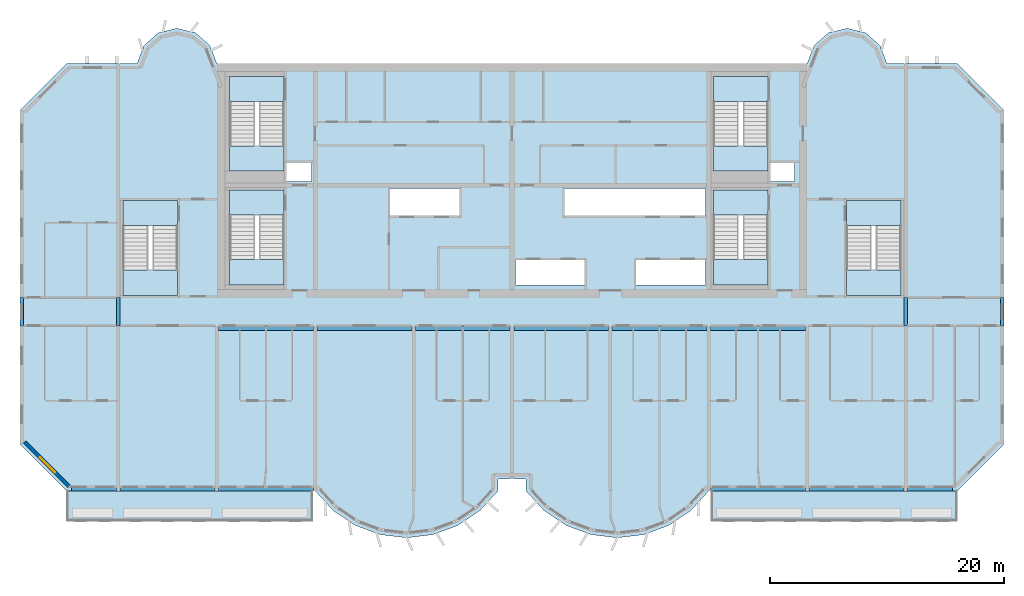
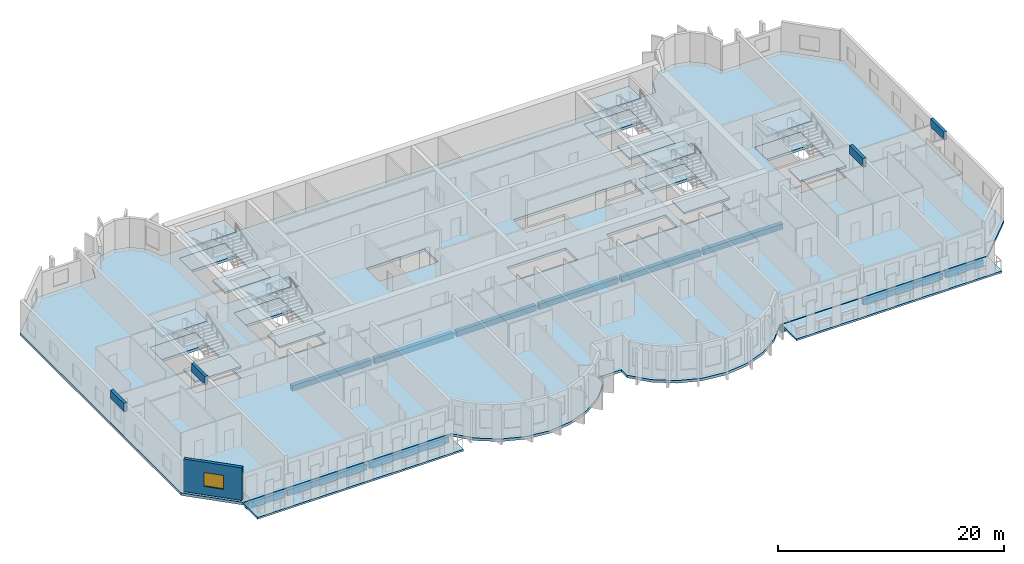
# One storey, part 1 of 13: 21 slabs, 16 beams, 1 wall, 1 window, 1 opening, 6 elements without a shape of their own.
"""IFC4 building model written with IfcOpenShell, lengths in metres."""

from ifc_helpers import new_model, si_unit, direction, frame, frame_2d, origin, origin_2d, place, context, subcontext, project, spatial, polyline, rectangle, outline, extrude, source, transform, mapped, material, layer, layer_set, material_profile, profile_set, type_object, element, fill, aggregate, save


model = new_model("IFC4")

# Units and contexts
model_context = context("Model", 3, precision=1e-05, world=origin(), true_north=direction((0.0, 1.0)))
body_context = subcontext(model_context, "Body", "Model", "MODEL_VIEW")
ifc_project = project(units=[si_unit("LENGTHUNIT", "METRE"), si_unit("AREAUNIT", "SQUARE_METRE"), si_unit("VOLUMEUNIT", "CUBIC_METRE"), si_unit("PLANEANGLEUNIT", "RADIAN"), si_unit("MASSUNIT", "GRAM", prefix="KILO")], contexts=[model_context])

# Site, building, storey
site_placement = place(None, origin())
site = spatial("IfcSite", under=ifc_project, at=site_placement, CompositionType="ELEMENT")
building_placement = place(site_placement, origin())
building = spatial("IfcBuilding", under=site, at=building_placement, Name="Vanashikhar Sky Hotel", CompositionType="ELEMENT")
storey_placement = place(building_placement, frame((0.0, 0.0, 151.60009765625)))
storey = spatial("IfcBuildingStorey", under=building, at=storey_placement, Name="L36", CompositionType="ELEMENT", Elevation=151.60009765625)

# Beams
ifc_material_1 = material(Name="Concrete M50", Category="concrete")
ifc_material_profile_1 = material_profile(ifc_material_1, rectangle(XDim=0.300048828125, YDim=0.89990234375, at=origin_2d()))
ifc_profile_set_1 = profile_set([ifc_material_profile_1], Name="RC 300x900 beam Concrete M50")
beam_type_1 = type_object("IfcBeamType", Name="RC 300x900 beam Concrete M50", PredefinedType="LINTEL", material=ifc_profile_set_1)
shared_shape_1 = source(origin(), body_context, "Body", "SweptSolid", [
    extrude(rectangle(XDim=0.300048828125, YDim=0.89990234375, at=origin_2d()), origin(), (0.0, 0.0, 1.0), 2.39990234375),
])
for number, where, z_axis, x_axis, name in (
    (1, (8.550048828125, 19.60009765625, 3.06982421875), (0.0, 1.0, 0.0), (-1.0, 0.0, 0.0), "LB-L36-XW02"),
    (2, (16.800048828125, 19.60009765625, 3.06982421875), (0.0, 1.0, 0.0), (-1.0, 0.0, 0.0), "LB-L36-XW03"),
    (3, (84.0, 19.60009765625, 3.06982421875), (0.0, 1.0, 0.0), (-1.0, 0.0, 0.0), "LB-L36-XW11"),
    (4, (92.25, 19.60009765625, 3.06982421875), (0.0, 1.0, 0.0), (-1.0, 0.0, 0.0), "LB-L36-XW12"),
):
    element("IfcBeam", number, at=place(storey_placement, frame(where, z_axis=z_axis, x_axis=x_axis)), inside=storey, type_object=beam_type_1, Name=name, PredefinedType="LINTEL", context=body_context, shape_type="MappedRepresentation", body=[
        mapped(shared_shape_1, transform((0.0, 0.0, 0.0), scale=1.0)),
    ])
ifc_material_profile_2 = material_profile(ifc_material_1, rectangle(XDim=0.39990234375, YDim=0.64990234375, at=origin_2d()))
ifc_profile_set_2 = profile_set([ifc_material_profile_2], Name="RC 400x650 beam Concrete M50")
beam_type_2 = type_object("IfcBeamType", Name="RC 400x650 beam Concrete M50", PredefinedType="BEAM", material=ifc_profile_set_2)
shared_shape_2 = source(origin(), body_context, "Body", "SweptSolid", [
    extrude(rectangle(XDim=0.39990234375, YDim=0.64990234375, at=origin_2d()), origin(), (0.0, 0.0, 1.0), 8.10009765625),
])
for number, where, z_axis, x_axis, name in (
    (5, (16.949951171875, 5.699951171875, -0.60498046875), (1.0, 0.0, 0.0), (0.0, 1.0, 0.0), "EB-L36-F01"),
    (6, (75.75, 5.699951171875, -0.60498046875), (1.0, 0.0, 0.0), (0.0, 1.0, 0.0), "EB-L36-F05"),
):
    element("IfcBeam", number, at=place(storey_placement, frame(where, z_axis=z_axis, x_axis=x_axis)), inside=storey, type_object=beam_type_2, Name=name, PredefinedType="BEAM", context=body_context, shape_type="MappedRepresentation", body=[
        mapped(shared_shape_2, transform((0.0, 0.0, 0.0), scale=1.0)),
    ])
shared_shape_3 = source(origin(), body_context, "Body", "SweptSolid", [
    extrude(rectangle(XDim=0.39990234375, YDim=0.64990234375, at=origin_2d()), origin(), (0.0, 0.0, 1.0), 8.099853515625),
])
for number, where, z_axis, x_axis, name in (
    (7, (25.35009765625, 5.699951171875, -0.60498046875), (1.0, 0.0, 0.0), (0.0, 1.0, 0.0), "EB-L36-F02"),
    (8, (67.35009765625, 5.699951171875, -0.60498046875), (1.0, 0.0, 0.0), (0.0, 1.0, 0.0), "EB-L36-F04"),
):
    element("IfcBeam", number, at=place(storey_placement, frame(where, z_axis=z_axis, x_axis=x_axis)), inside=storey, type_object=beam_type_2, Name=name, PredefinedType="BEAM", context=body_context, shape_type="MappedRepresentation", body=[
        mapped(shared_shape_3, transform((0.0, 0.0, 0.0), scale=1.0)),
    ])
ifc_material_profile_3 = material_profile(ifc_material_1, rectangle(XDim=0.39990234375, YDim=0.64990234375, at=origin_2d()))
ifc_profile_set_3 = profile_set([ifc_material_profile_3], Name="RC 400x650 cantilever beam Concrete M50")
beam_type_3 = type_object("IfcBeamType", Name="RC 400x650 cantilever beam Concrete M50", PredefinedType="SPANDREL", material=ifc_profile_set_3)
shared_shape_4 = source(origin(), body_context, "Body", "SweptSolid", [
    extrude(rectangle(XDim=0.39990234375, YDim=0.64990234375, at=origin_2d()), origin(), (0.0, 0.0, 1.0), 3.849853515625),
])
beam_1_placement = place(storey_placement, frame((12.800048828125, 5.699951171875, -0.60498046875), z_axis=(1.0, 0.0, 0.0), x_axis=(0.0, 1.0, 0.0)))
element("IfcBeam", 9, at=beam_1_placement, inside=storey, type_object=beam_type_3, Name="EB-L36-F03", PredefinedType="SPANDREL", context=body_context, shape_type="MappedRepresentation", body=[
    mapped(shared_shape_4, transform((0.0, 0.0, 0.0), scale=1.0)),
])
shared_shape_5 = source(origin(), body_context, "Body", "SweptSolid", [
    extrude(rectangle(XDim=0.39990234375, YDim=0.64990234375, at=origin_2d()), origin(), (0.0, 0.0, 1.0), 3.85009765625),
])
beam_2_placement = place(storey_placement, frame((84.14990234375, 5.699951171875, -0.60498046875), z_axis=(1.0, 0.0, 0.0), x_axis=(0.0, 1.0, 0.0)))
element("IfcBeam", 10, at=beam_2_placement, inside=storey, type_object=beam_type_3, Name="EB-L36-F06", PredefinedType="SPANDREL", context=body_context, shape_type="MappedRepresentation", body=[
    mapped(shared_shape_5, transform((0.0, 0.0, 0.0), scale=1.0)),
])
ifc_material_profile_4 = material_profile(ifc_material_1, rectangle(XDim=0.39990234375, YDim=0.60009765625, at=origin_2d()))
ifc_profile_set_4 = profile_set([ifc_material_profile_4], Name="RC 400x600 beam Concrete M50")
beam_type_4 = type_object("IfcBeamType", Name="RC 400x600 beam Concrete M50", PredefinedType="BEAM", material=ifc_profile_set_4)
shared_shape_6 = source(origin(), body_context, "Body", "SweptSolid", [
    extrude(rectangle(XDim=0.39990234375, YDim=0.60009765625, at=origin_2d()), origin(), (0.0, 0.0, 1.0), 8.099853515625),
])
for number, where, z_axis, x_axis, name in (
    (11, (25.35009765625, 19.39990234375, -0.580078125), (1.0, 0.0, 0.0), (0.0, 1.0, 0.0), "CB-L36-01"),
    (12, (50.550048828125, 19.39990234375, -0.580078125), (1.0, 0.0, 0.0), (0.0, 1.0, 0.0), "CB-L36-04"),
    (13, (67.35009765625, 19.39990234375, -0.580078125), (1.0, 0.0, 0.0), (0.0, 1.0, 0.0), "CB-L36-06"),
):
    element("IfcBeam", number, at=place(storey_placement, frame(where, z_axis=z_axis, x_axis=x_axis)), inside=storey, type_object=beam_type_4, Name=name, PredefinedType="BEAM", context=body_context, shape_type="MappedRepresentation", body=[
        mapped(shared_shape_6, transform((0.0, 0.0, 0.0), scale=1.0)),
    ])
shared_shape_7 = source(origin(), body_context, "Body", "SweptSolid", [
    extrude(rectangle(XDim=0.39990234375, YDim=0.60009765625, at=origin_2d()), origin(), (0.0, 0.0, 1.0), 8.10009765625),
])
for number, where, z_axis, x_axis, name in (
    (14, (33.75, 19.39990234375, -0.580078125), (1.0, 0.0, 0.0), (0.0, 1.0, 0.0), "CB-L36-02"),
    (15, (42.14990234375, 19.39990234375, -0.580078125), (1.0, 0.0, 0.0), (0.0, 1.0, 0.0), "CB-L36-03"),
    (16, (58.949951171875, 19.39990234375, -0.580078125), (1.0, 0.0, 0.0), (0.0, 1.0, 0.0), "CB-L36-05"),
):
    element("IfcBeam", number, at=place(storey_placement, frame(where, z_axis=z_axis, x_axis=x_axis)), inside=storey, type_object=beam_type_4, Name=name, PredefinedType="BEAM", context=body_context, shape_type="MappedRepresentation", body=[
        mapped(shared_shape_7, transform((0.0, 0.0, 0.0), scale=1.0)),
    ])

# Slabs
ifc_material_2 = material(Name="Concrete M40", Category="concrete")
ifc_layer_1 = layer(ifc_material_2, 0.280029296875)
ifc_layer_set_1 = layer_set([ifc_layer_1], Name="Floor slab 280 mm")
slab_type_1 = type_object("IfcSlabType", Name="Floor slab 280 mm", PredefinedType="FLOOR", material=ifc_layer_set_1)
shared_shape_8 = source(origin(), body_context, "Body", "SweptSolid", [
    extrude(outline(polyline([(49.199951171875, 5.5), (49.199951171875, 6.5), (51.60009765625, 6.5), (51.60009765625, 5.5), (53.133056640625, 3.825927734375), (55.01708984375, 2.55810546875), (57.14599609375, 1.76806640625), (59.39990234375, 1.5), (61.654052734375, 1.76806640625), (63.782958984375, 2.55810546875), (65.6669921875, 3.825927734375), (67.199951171875, 5.5), (88.39990234375, 5.5), (92.39990234375, 9.5), (92.39990234375, 38.0), (88.39990234375, 42.0), (82.39990234375, 42.0), (81.81494140625, 43.527099609375), (80.587890625, 44.610107421875), (79.0, 45.0), (77.412109375, 44.610107421875), (76.18505859375, 43.527099609375), (75.60009765625, 42.0), (25.199951171875, 42.0), (24.614990234375, 43.527099609375), (23.387939453125, 44.610107421875), (21.800048828125, 45.0), (20.2119140625, 44.610107421875), (18.985107421875, 43.527099609375), (18.39990234375, 42.0), (12.39990234375, 42.0), (8.39990234375, 38.0), (8.39990234375, 9.5), (12.39990234375, 5.5), (33.60009765625, 5.5), (35.133056640625, 3.825927734375), (37.01708984375, 2.55810546875), (39.14599609375, 1.76806640625), (41.39990234375, 1.5), (43.654052734375, 1.76806640625), (45.782958984375, 2.55810546875), (47.6669921875, 3.825927734375), (49.199951171875, 5.5)]), holes=[polyline([(33.300048828125, 33.60009765625), (31.050048828125, 33.60009765625), (31.050048828125, 31.89990234375), (33.300048828125, 31.89990234375), (33.300048828125, 33.60009765625)]), polyline([(39.89990234375, 31.300048828125), (39.89990234375, 29.0), (45.89990234375, 29.0), (45.89990234375, 31.300048828125), (39.89990234375, 31.300048828125)]), polyline([(50.699951171875, 25.199951171875), (50.699951171875, 23.10009765625), (56.699951171875, 23.10009765625), (56.699951171875, 25.199951171875), (50.699951171875, 25.199951171875)]), polyline([(66.89990234375, 29.0), (66.89990234375, 31.300048828125), (54.89990234375, 31.300048828125), (54.89990234375, 29.0), (66.89990234375, 29.0)]), polyline([(60.89990234375, 25.199951171875), (60.89990234375, 23.10009765625), (66.89990234375, 23.10009765625), (66.89990234375, 25.199951171875), (60.89990234375, 25.199951171875)]), polyline([(74.5, 33.60009765625), (72.35009765625, 33.60009765625), (72.35009765625, 31.89990234375), (74.5, 31.89990234375), (74.5, 33.60009765625)]), polyline([(30.949951171875, 23.10009765625), (30.949951171875, 31.199951171875), (26.300048828125, 31.199951171875), (26.300048828125, 23.10009765625), (30.949951171875, 23.10009765625)]), polyline([(72.25, 23.10009765625), (72.25, 31.199951171875), (67.60009765625, 31.199951171875), (67.60009765625, 23.10009765625), (72.25, 23.10009765625)]), polyline([(30.949951171875, 32.800048828125), (30.949951171875, 40.89990234375), (26.300048828125, 40.89990234375), (26.300048828125, 32.800048828125), (30.949951171875, 32.800048828125)]), polyline([(72.25, 32.800048828125), (72.25, 40.89990234375), (67.60009765625, 40.89990234375), (67.60009765625, 32.800048828125), (72.25, 32.800048828125)]), polyline([(83.60009765625, 22.199951171875), (83.60009765625, 30.300048828125), (78.949951171875, 30.300048828125), (78.949951171875, 22.199951171875), (83.60009765625, 22.199951171875)]), polyline([(21.85009765625, 22.199951171875), (21.85009765625, 30.300048828125), (17.199951171875, 30.300048828125), (17.199951171875, 22.199951171875), (21.85009765625, 22.199951171875)])]), origin(), (0.0, 0.0, 1.0), 0.280029296875),
])
slab_1_placement = place(storey_placement, frame((0.0, 0.0, -0.280029296875)))
element("IfcSlab", 17, at=slab_1_placement, inside=storey, type_object=slab_type_1, Name="Floor slab L36", PredefinedType="FLOOR", context=body_context, shape_type="MappedRepresentation", body=[
    mapped(shared_shape_8, transform((0.0, 0.0, 0.0), scale=1.0)),
])
ifc_layer_2 = layer(ifc_material_2, 0.199951171875)
ifc_layer_set_2 = layer_set([ifc_layer_2], Name="Balcony slab 200 mm")
slab_type_2 = type_object("IfcSlabType", Name="Balcony slab 200 mm", PredefinedType="USERDEFINED", material=ifc_layer_set_2)
shared_shape_9 = source(origin(), body_context, "Body", "SweptSolid", [
    extrude(outline(polyline([(12.39990234375, 2.89990234375), (33.39990234375, 2.89990234375), (33.39990234375, 5.5), (12.39990234375, 5.5), (12.39990234375, 2.89990234375)])), origin(), (0.0, 0.0, 1.0), 0.199951171875),
])
slab_2_placement = place(storey_placement, frame((0.0, 0.0, -0.25)))
element("IfcSlab", 18, at=slab_2_placement, inside=storey, type_object=slab_type_2, Name="Balcony slab L36 1", ObjectType="BALCONY", PredefinedType="USERDEFINED", context=body_context, shape_type="MappedRepresentation", body=[
    mapped(shared_shape_9, transform((0.0, 0.0, 0.0), scale=1.0)),
])
shared_shape_10 = source(origin(), body_context, "Body", "SweptSolid", [
    extrude(outline(polyline([(67.39990234375, 2.89990234375), (88.39990234375, 2.89990234375), (88.39990234375, 5.5), (67.39990234375, 5.5), (67.39990234375, 2.89990234375)])), origin(), (0.0, 0.0, 1.0), 0.199951171875),
])
slab_3_placement = place(storey_placement, frame((0.0, 0.0, -0.25)))
element("IfcSlab", 19, at=slab_3_placement, inside=storey, type_object=slab_type_2, Name="Balcony slab L36 2", ObjectType="BALCONY", PredefinedType="USERDEFINED", context=body_context, shape_type="MappedRepresentation", body=[
    mapped(shared_shape_10, transform((0.0, 0.0, 0.0), scale=1.0)),
])

# Stair, slabs
stair_type = type_object("IfcStairType", Name="Exit stair 2150", PredefinedType="DOUBLE_RETURN_STAIR", material=ifc_material_2)
stair_1_placement = place(storey_placement, origin())
stair_1 = element("IfcStair", 20, at=stair_1_placement, inside=storey, type_object=stair_type, Name="L36 Exit stair 1", PredefinedType="DOUBLE_RETURN_STAIR")
ifc_layer_3 = layer(ifc_material_2, 0.199951171875)
ifc_layer_set_3 = layer_set([ifc_layer_3], Name="Stair landing 200")
slab_type_3 = type_object("IfcSlabType", Name="Stair landing 200", PredefinedType="LANDING", material=ifc_layer_set_3)
shared_shape_11 = source(origin(), body_context, "Body", "SweptSolid", [
    extrude(outline(polyline([(30.949951171875, 29.050048828125), (30.949951171875, 31.199951171875), (26.300048828125, 31.199951171875), (26.300048828125, 29.050048828125), (30.949951171875, 29.050048828125)])), origin(), (0.0, 0.0, 1.0), 0.199951171875),
])
slab_4_placement = place(storey_placement, frame((0.0, 0.0, 2.333251953125)))
slab_4 = element("IfcSlab", 21, at=slab_4_placement, type_object=slab_type_3, Name="ST-C1 landing 2", PredefinedType="LANDING", context=body_context, shape_type="MappedRepresentation", body=[
    mapped(shared_shape_11, transform((0.0, 0.0, 0.0), scale=1.0)),
])
shared_shape_12 = source(origin(), body_context, "Body", "SweptSolid", [
    extrude(outline(polyline([(30.949951171875, 23.10009765625), (30.949951171875, 25.25), (26.300048828125, 25.25), (26.300048828125, 23.10009765625), (30.949951171875, 23.10009765625)])), origin(), (0.0, 0.0, 1.0), 0.199951171875),
])
slab_5_placement = place(storey_placement, frame((0.0, 0.0, 1.066650390625)))
slab_5 = element("IfcSlab", 22, at=slab_5_placement, type_object=slab_type_3, Name="ST-C1 landing 1", PredefinedType="LANDING", context=body_context, shape_type="MappedRepresentation", body=[
    mapped(shared_shape_12, transform((0.0, 0.0, 0.0), scale=1.0)),
])
aggregate(stair_1, [slab_5, slab_4])

# Slab
ifc_layer_4 = layer(ifc_material_2, 0.280029296875)
ifc_layer_set_4 = layer_set([ifc_layer_4], Name="Stair floor landing 280")
slab_type_4 = type_object("IfcSlabType", Name="Stair floor landing 280", PredefinedType="LANDING", material=ifc_layer_set_4)
shared_shape_13 = source(origin(), body_context, "Body", "SweptSolid", [
    extrude(outline(polyline([(30.949951171875, 29.050048828125), (30.949951171875, 31.199951171875), (26.300048828125, 31.199951171875), (26.300048828125, 29.050048828125), (30.949951171875, 29.050048828125)])), origin(), (0.0, 0.0, 1.0), 0.280029296875),
])
slab_6_placement = place(storey_placement, frame((0.0, 0.0, -0.280029296875)))
element("IfcSlab", 23, at=slab_6_placement, inside=storey, type_object=slab_type_4, Name="Exit stair 1 floor landing", PredefinedType="LANDING", context=body_context, shape_type="MappedRepresentation", body=[
    mapped(shared_shape_13, transform((0.0, 0.0, 0.0), scale=1.0)),
])

# Stair, slabs
stair_2_placement = place(storey_placement, origin())
stair_2 = element("IfcStair", 24, at=stair_2_placement, inside=storey, type_object=stair_type, Name="L36 Exit stair 2", PredefinedType="DOUBLE_RETURN_STAIR")
shared_shape_14 = source(origin(), body_context, "Body", "SweptSolid", [
    extrude(outline(polyline([(72.25, 29.050048828125), (72.25, 31.199951171875), (67.60009765625, 31.199951171875), (67.60009765625, 29.050048828125), (72.25, 29.050048828125)])), origin(), (0.0, 0.0, 1.0), 0.199951171875),
])
slab_7_placement = place(storey_placement, frame((0.0, 0.0, 2.333251953125)))
slab_7 = element("IfcSlab", 25, at=slab_7_placement, type_object=slab_type_3, Name="ST-C2 landing 2", PredefinedType="LANDING", context=body_context, shape_type="MappedRepresentation", body=[
    mapped(shared_shape_14, transform((0.0, 0.0, 0.0), scale=1.0)),
])
shared_shape_15 = source(origin(), body_context, "Body", "SweptSolid", [
    extrude(outline(polyline([(72.25, 23.10009765625), (72.25, 25.25), (67.60009765625, 25.25), (67.60009765625, 23.10009765625), (72.25, 23.10009765625)])), origin(), (0.0, 0.0, 1.0), 0.199951171875),
])
slab_8_placement = place(storey_placement, frame((0.0, 0.0, 1.066650390625)))
slab_8 = element("IfcSlab", 26, at=slab_8_placement, type_object=slab_type_3, Name="ST-C2 landing 1", PredefinedType="LANDING", context=body_context, shape_type="MappedRepresentation", body=[
    mapped(shared_shape_15, transform((0.0, 0.0, 0.0), scale=1.0)),
])
aggregate(stair_2, [slab_8, slab_7])

# Slab
shared_shape_16 = source(origin(), body_context, "Body", "SweptSolid", [
    extrude(outline(polyline([(72.25, 29.050048828125), (72.25, 31.199951171875), (67.60009765625, 31.199951171875), (67.60009765625, 29.050048828125), (72.25, 29.050048828125)])), origin(), (0.0, 0.0, 1.0), 0.280029296875),
])
slab_9_placement = place(storey_placement, frame((0.0, 0.0, -0.280029296875)))
element("IfcSlab", 27, at=slab_9_placement, inside=storey, type_object=slab_type_4, Name="Exit stair 2 floor landing", PredefinedType="LANDING", context=body_context, shape_type="MappedRepresentation", body=[
    mapped(shared_shape_16, transform((0.0, 0.0, 0.0), scale=1.0)),
])

# Stair, slabs
stair_3_placement = place(storey_placement, origin())
stair_3 = element("IfcStair", 28, at=stair_3_placement, inside=storey, type_object=stair_type, Name="L36 Exit stair 3", PredefinedType="DOUBLE_RETURN_STAIR")
shared_shape_17 = source(origin(), body_context, "Body", "SweptSolid", [
    extrude(outline(polyline([(21.85009765625, 28.14990234375), (21.85009765625, 30.300048828125), (17.199951171875, 30.300048828125), (17.199951171875, 28.14990234375), (21.85009765625, 28.14990234375)])), origin(), (0.0, 0.0, 1.0), 0.199951171875),
])
slab_10_placement = place(storey_placement, frame((0.0, 0.0, 2.333251953125)))
slab_10 = element("IfcSlab", 29, at=slab_10_placement, type_object=slab_type_3, Name="ST-W landing 2", PredefinedType="LANDING", context=body_context, shape_type="MappedRepresentation", body=[
    mapped(shared_shape_17, transform((0.0, 0.0, 0.0), scale=1.0)),
])
shared_shape_18 = source(origin(), body_context, "Body", "SweptSolid", [
    extrude(outline(polyline([(21.85009765625, 22.199951171875), (21.85009765625, 24.35009765625), (17.199951171875, 24.35009765625), (17.199951171875, 22.199951171875), (21.85009765625, 22.199951171875)])), origin(), (0.0, 0.0, 1.0), 0.199951171875),
])
slab_11_placement = place(storey_placement, frame((0.0, 0.0, 1.066650390625)))
slab_11 = element("IfcSlab", 30, at=slab_11_placement, type_object=slab_type_3, Name="ST-W landing 1", PredefinedType="LANDING", context=body_context, shape_type="MappedRepresentation", body=[
    mapped(shared_shape_18, transform((0.0, 0.0, 0.0), scale=1.0)),
])
aggregate(stair_3, [slab_11, slab_10])

# Slab
shared_shape_19 = source(origin(), body_context, "Body", "SweptSolid", [
    extrude(outline(polyline([(21.85009765625, 28.14990234375), (21.85009765625, 30.300048828125), (17.199951171875, 30.300048828125), (17.199951171875, 28.14990234375), (21.85009765625, 28.14990234375)])), origin(), (0.0, 0.0, 1.0), 0.280029296875),
])
slab_12_placement = place(storey_placement, frame((0.0, 0.0, -0.280029296875)))
element("IfcSlab", 31, at=slab_12_placement, inside=storey, type_object=slab_type_4, Name="Exit stair 3 floor landing", PredefinedType="LANDING", context=body_context, shape_type="MappedRepresentation", body=[
    mapped(shared_shape_19, transform((0.0, 0.0, 0.0), scale=1.0)),
])

# Stair, slabs
stair_4_placement = place(storey_placement, origin())
stair_4 = element("IfcStair", 32, at=stair_4_placement, inside=storey, type_object=stair_type, Name="L36 Exit stair 4", PredefinedType="DOUBLE_RETURN_STAIR")
shared_shape_20 = source(origin(), body_context, "Body", "SweptSolid", [
    extrude(outline(polyline([(83.60009765625, 28.14990234375), (83.60009765625, 30.300048828125), (78.949951171875, 30.300048828125), (78.949951171875, 28.14990234375), (83.60009765625, 28.14990234375)])), origin(), (0.0, 0.0, 1.0), 0.199951171875),
])
slab_13_placement = place(storey_placement, frame((0.0, 0.0, 2.333251953125)))
slab_13 = element("IfcSlab", 33, at=slab_13_placement, type_object=slab_type_3, Name="ST-E landing 2", PredefinedType="LANDING", context=body_context, shape_type="MappedRepresentation", body=[
    mapped(shared_shape_20, transform((0.0, 0.0, 0.0), scale=1.0)),
])
shared_shape_21 = source(origin(), body_context, "Body", "SweptSolid", [
    extrude(outline(polyline([(83.60009765625, 22.199951171875), (83.60009765625, 24.35009765625), (78.949951171875, 24.35009765625), (78.949951171875, 22.199951171875), (83.60009765625, 22.199951171875)])), origin(), (0.0, 0.0, 1.0), 0.199951171875),
])
slab_14_placement = place(storey_placement, frame((0.0, 0.0, 1.066650390625)))
slab_14 = element("IfcSlab", 34, at=slab_14_placement, type_object=slab_type_3, Name="ST-E landing 1", PredefinedType="LANDING", context=body_context, shape_type="MappedRepresentation", body=[
    mapped(shared_shape_21, transform((0.0, 0.0, 0.0), scale=1.0)),
])
aggregate(stair_4, [slab_14, slab_13])

# Slab
shared_shape_22 = source(origin(), body_context, "Body", "SweptSolid", [
    extrude(outline(polyline([(83.60009765625, 28.14990234375), (83.60009765625, 30.300048828125), (78.949951171875, 30.300048828125), (78.949951171875, 28.14990234375), (83.60009765625, 28.14990234375)])), origin(), (0.0, 0.0, 1.0), 0.280029296875),
])
slab_15_placement = place(storey_placement, frame((0.0, 0.0, -0.280029296875)))
element("IfcSlab", 35, at=slab_15_placement, inside=storey, type_object=slab_type_4, Name="Exit stair 4 floor landing", PredefinedType="LANDING", context=body_context, shape_type="MappedRepresentation", body=[
    mapped(shared_shape_22, transform((0.0, 0.0, 0.0), scale=1.0)),
])

# Stair, slabs
stair_5_placement = place(storey_placement, origin())
stair_5 = element("IfcStair", 36, at=stair_5_placement, inside=storey, type_object=stair_type, Name="L36 Exit stair 5", PredefinedType="DOUBLE_RETURN_STAIR")
shared_shape_23 = source(origin(), body_context, "Body", "SweptSolid", [
    extrude(outline(polyline([(30.949951171875, 38.75), (30.949951171875, 40.89990234375), (26.300048828125, 40.89990234375), (26.300048828125, 38.75), (30.949951171875, 38.75)])), origin(), (0.0, 0.0, 1.0), 0.199951171875),
])
slab_16_placement = place(storey_placement, frame((0.0, 0.0, 2.333251953125)))
slab_16 = element("IfcSlab", 37, at=slab_16_placement, type_object=slab_type_3, Name="ST-C3 landing 2", PredefinedType="LANDING", context=body_context, shape_type="MappedRepresentation", body=[
    mapped(shared_shape_23, transform((0.0, 0.0, 0.0), scale=1.0)),
])
shared_shape_24 = source(origin(), body_context, "Body", "SweptSolid", [
    extrude(outline(polyline([(30.949951171875, 32.800048828125), (30.949951171875, 34.949951171875), (26.300048828125, 34.949951171875), (26.300048828125, 32.800048828125), (30.949951171875, 32.800048828125)])), origin(), (0.0, 0.0, 1.0), 0.199951171875),
])
slab_17_placement = place(storey_placement, frame((0.0, 0.0, 1.066650390625)))
slab_17 = element("IfcSlab", 38, at=slab_17_placement, type_object=slab_type_3, Name="ST-C3 landing 1", PredefinedType="LANDING", context=body_context, shape_type="MappedRepresentation", body=[
    mapped(shared_shape_24, transform((0.0, 0.0, 0.0), scale=1.0)),
])
aggregate(stair_5, [slab_17, slab_16])

# Slab
shared_shape_25 = source(origin(), body_context, "Body", "SweptSolid", [
    extrude(outline(polyline([(30.949951171875, 38.75), (30.949951171875, 40.89990234375), (26.300048828125, 40.89990234375), (26.300048828125, 38.75), (30.949951171875, 38.75)])), origin(), (0.0, 0.0, 1.0), 0.280029296875),
])
slab_18_placement = place(storey_placement, frame((0.0, 0.0, -0.280029296875)))
element("IfcSlab", 39, at=slab_18_placement, inside=storey, type_object=slab_type_4, Name="Exit stair 5 floor landing", PredefinedType="LANDING", context=body_context, shape_type="MappedRepresentation", body=[
    mapped(shared_shape_25, transform((0.0, 0.0, 0.0), scale=1.0)),
])

# Stair, slabs
stair_6_placement = place(storey_placement, origin())
stair_6 = element("IfcStair", 40, at=stair_6_placement, inside=storey, type_object=stair_type, Name="L36 Exit stair 6", PredefinedType="DOUBLE_RETURN_STAIR")
shared_shape_26 = source(origin(), body_context, "Body", "SweptSolid", [
    extrude(outline(polyline([(72.25, 38.75), (72.25, 40.89990234375), (67.60009765625, 40.89990234375), (67.60009765625, 38.75), (72.25, 38.75)])), origin(), (0.0, 0.0, 1.0), 0.199951171875),
])
slab_19_placement = place(storey_placement, frame((0.0, 0.0, 2.333251953125)))
slab_19 = element("IfcSlab", 41, at=slab_19_placement, type_object=slab_type_3, Name="ST-C4 landing 2", PredefinedType="LANDING", context=body_context, shape_type="MappedRepresentation", body=[
    mapped(shared_shape_26, transform((0.0, 0.0, 0.0), scale=1.0)),
])
shared_shape_27 = source(origin(), body_context, "Body", "SweptSolid", [
    extrude(outline(polyline([(72.25, 32.800048828125), (72.25, 34.949951171875), (67.60009765625, 34.949951171875), (67.60009765625, 32.800048828125), (72.25, 32.800048828125)])), origin(), (0.0, 0.0, 1.0), 0.199951171875),
])
slab_20_placement = place(storey_placement, frame((0.0, 0.0, 1.066650390625)))
slab_20 = element("IfcSlab", 42, at=slab_20_placement, type_object=slab_type_3, Name="ST-C4 landing 1", PredefinedType="LANDING", context=body_context, shape_type="MappedRepresentation", body=[
    mapped(shared_shape_27, transform((0.0, 0.0, 0.0), scale=1.0)),
])
aggregate(stair_6, [slab_20, slab_19])

# Slab
shared_shape_28 = source(origin(), body_context, "Body", "SweptSolid", [
    extrude(outline(polyline([(72.25, 38.75), (72.25, 40.89990234375), (67.60009765625, 40.89990234375), (67.60009765625, 38.75), (72.25, 38.75)])), origin(), (0.0, 0.0, 1.0), 0.280029296875),
])
slab_21_placement = place(storey_placement, frame((0.0, 0.0, -0.280029296875)))
element("IfcSlab", 43, at=slab_21_placement, inside=storey, type_object=slab_type_4, Name="Exit stair 6 floor landing", PredefinedType="LANDING", context=body_context, shape_type="MappedRepresentation", body=[
    mapped(shared_shape_28, transform((0.0, 0.0, 0.0), scale=1.0)),
])

# Wall, opening, window
ifc_layer_5 = layer(ifc_material_1, 0.300048828125)
ifc_layer_set_5 = layer_set([ifc_layer_5], Name="Lobe wall 300")
wall_type = type_object("IfcWallType", Name="Lobe wall 300", PredefinedType="SOLIDWALL", material=ifc_layer_set_5)
shared_shape_29 = source(origin(), body_context, "Body", "SweptSolid", [
    extrude(rectangle(XDim=5.32568359375, YDim=0.300048828125, at=frame_2d((2.662841796875, 0.0))), origin(), (0.0, 0.0, 1.0), 3.52001953125),
])
wall_placement = place(storey_placement, frame((8.800048828125, 9.665771484375, 0.0), z_axis=(0.0, 0.0, 1.0), x_axis=(0.707083859269, -0.707129702361, 0.0)))
wall = element("IfcWall", 44, at=wall_placement, inside=storey, type_object=wall_type, Name="Corner wall", PredefinedType="SOLIDWALL", context=body_context, shape_type="MappedRepresentation", body=[
    mapped(shared_shape_29, transform((0.0, 0.0, 0.0), scale=1.0)),
])
shared_shape_30 = source(origin(), body_context, "Body", "SweptSolid", [
    extrude(rectangle(XDim=1.800048828125, YDim=1.5, at=frame_2d((0.89990234375, 0.75))), frame((0.0, 0.16015625, 0.0), z_axis=(0.0, -1.0, 0.0), x_axis=(1.0, 0.0, 0.0)), (0.0, 0.0, 1.0), 0.320068359375),
])
opening_placement = place(wall_placement, frame((1.8359375, 0.0, 0.89990234375)))
opening = element("IfcOpeningElement", 45, at=opening_placement, cuts=wall, Name="Opening WN-4", PredefinedType="OPENING", context=body_context, shape_type="MappedRepresentation", body=[
    mapped(shared_shape_30, transform((0.0, 0.0, 0.0), scale=1.0)),
])
ifc_material_3 = material(Name="Glass", Category="glass")
window_type = type_object("IfcWindowType", Name="Corner window 1800 x 1500", PartitioningType="SINGLE_PANEL", PredefinedType="WINDOW", material=ifc_material_3)
shared_shape_31 = source(origin(), body_context, "Body", "SweptSolid", [
    extrude(rectangle(XDim=1.800048828125, YDim=1.5, at=frame_2d((0.89990234375, 0.75))), frame((0.0, 0.030029296875, 0.0), z_axis=(0.0, -1.0, 0.0), x_axis=(1.0, 0.0, 0.0)), (0.0, 0.0, 1.0), 0.06005859375),
])
window_placement = place(opening_placement, origin())
window = element("IfcWindow", 46, at=window_placement, inside=storey, type_object=window_type, Name="Window WN-4", OverallHeight=1.5, OverallWidth=1.800048828125, PartitioningType="SINGLE_PANEL", PredefinedType="WINDOW", context=body_context, shape_type="MappedRepresentation", body=[
    mapped(shared_shape_31, transform((0.0, 0.0, 0.0), scale=1.0)),
])
fill(opening, window)

save(model, "model.ifc")
